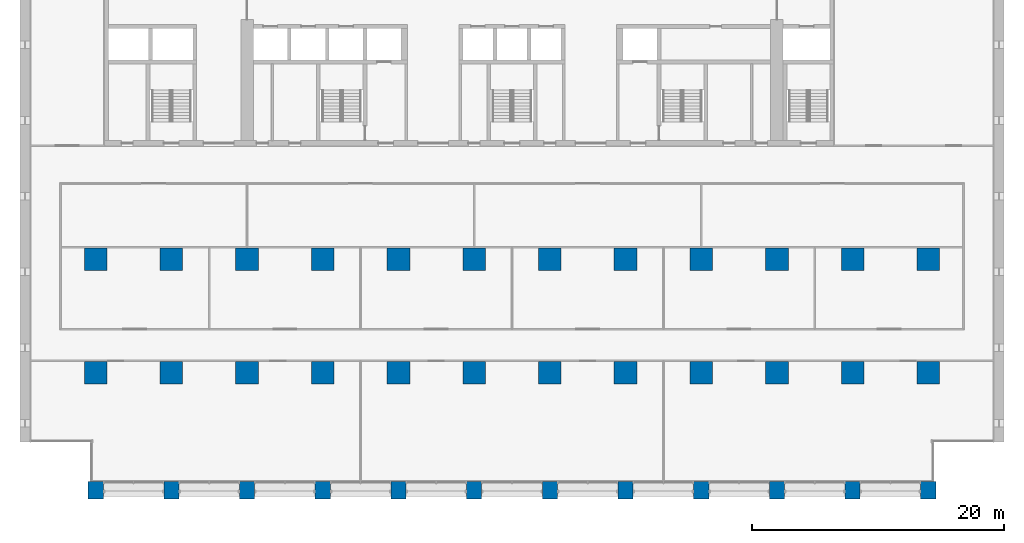
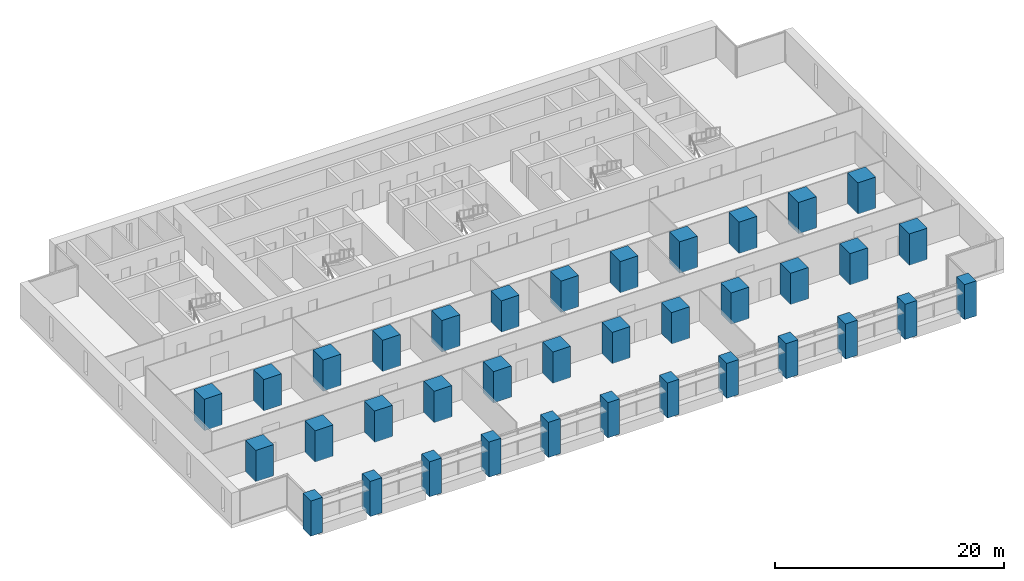
# One storey, part 1 of 18: 36 columns.
"""IFC4 building model written with IfcOpenShell, lengths in metres."""

import ifcopenshell
import ifcopenshell.guid

model = None  # the IFC model being written
_history = None  # IfcOwnerHistory: only IFC2X3 demands one
_inside = {}  # id of a spatial element -> (the spatial element, [elements in it])
_under = {}  # id of a project, library or spatial element -> (it, [spatial elements below it])
_declared = {}  # id of a project -> (the project, [libraries it declares])
_typed = {}  # id of a type object -> (the type object, [elements of that type])
_made_of = {}  # id of a material, layer set ... -> (it, [elements and type objects made of it])


def new_model(schema):
    """Start an empty IFC model of exactly this schema.

    Asked for "IFC4X3", IfcOpenShell would pick the latest addendum, in which some entities
    have other attributes; the version numbers below select the first issue.
    IFC2X3 requires an IfcOwnerHistory on every rooted entity: one is made here for all.
    """
    global model, _history
    if schema == "IFC4X3":
        model = ifcopenshell.file(schema_version=(4, 3, 0, 0))
    else:
        model = ifcopenshell.file(schema=schema)
    _inside.clear()
    _under.clear()
    _declared.clear()
    _typed.clear()
    _made_of.clear()
    _history = None
    if model.schema == "IFC2X3":
        org = make("IfcOrganization", Name="unknown")
        user = make(
            "IfcPersonAndOrganization",
            ThePerson=make("IfcPerson", FamilyName="unknown"),
            TheOrganization=org,
        )
        app = make(
            "IfcApplication",
            ApplicationDeveloper=org,
            Version="unknown",
            ApplicationFullName="unknown",
            ApplicationIdentifier="unknown",
        )
        _history = make(
            "IfcOwnerHistory",
            OwningUser=user,
            OwningApplication=app,
            ChangeAction="ADDED",
            CreationDate=0,
        )
    return model


def make(cls, **values):
    """One entity of the class cls with the attributes given. An attribute that is None is left unset."""
    return model.create_entity(
        cls, **{name: value for name, value in values.items() if value is not None}
    )


def rooted(cls, **values):
    """An entity with a GlobalId (a new one), such as an element, a storey or a relation."""
    return make(cls, GlobalId=ifcopenshell.guid.new(), OwnerHistory=_history, **values)


def si_unit(unit_type, name, prefix=None):
    """IfcSIUnit, for example si_unit("LENGTHUNIT", "METRE", prefix="MILLI")."""
    return make("IfcSIUnit", UnitType=unit_type, Prefix=prefix, Name=name)


def assignment(units):
    """IfcUnitAssignment: the units of a project."""
    return None if units is None else make("IfcUnitAssignment", Units=units)


def point(xyz):
    """IfcCartesianPoint."""
    return None if xyz is None else make("IfcCartesianPoint", Coordinates=xyz)


def direction(xyz):
    """IfcDirection."""
    return None if xyz is None else make("IfcDirection", DirectionRatios=xyz)


def frame(location, z_axis=None, x_axis=None):
    """IfcAxis2Placement3D, a coordinate frame: its origin and axes. An axis left out is left unset."""
    return make(
        "IfcAxis2Placement3D",
        Location=point(location),
        Axis=direction(z_axis),
        RefDirection=direction(x_axis),
    )


def frame_2d(location, x_axis=None):
    """IfcAxis2Placement2D, a coordinate frame in the plane: its origin and x axis."""
    return make(
        "IfcAxis2Placement2D", Location=point(location), RefDirection=direction(x_axis)
    )


def origin():
    """The frame at (0, 0, 0) with its axes left unset."""
    return frame((0.0, 0.0, 0.0))


def origin_2d():
    """The frame at (0, 0) in the plane with its x axis left unset."""
    return frame_2d((0.0, 0.0))


def place(relative_to, where):
    """IfcLocalPlacement: puts the frame where relative to a parent placement (None: the world)."""
    return make(
        "IfcLocalPlacement", PlacementRelTo=relative_to, RelativePlacement=where
    )


def context(
    kind, dimensions, precision=None, world=None, true_north=None, identifier=None
):
    """IfcGeometricRepresentationContext, for example the 3D "Model" context."""
    return make(
        "IfcGeometricRepresentationContext",
        ContextIdentifier=identifier,
        ContextType=kind,
        CoordinateSpaceDimension=dimensions,
        Precision=precision,
        WorldCoordinateSystem=world,
        TrueNorth=true_north,
    )


def subcontext(parent, identifier, kind, view, scale=None):
    """IfcGeometricRepresentationSubContext, for example "Body" below "Model"."""
    return make(
        "IfcGeometricRepresentationSubContext",
        ContextIdentifier=identifier,
        ContextType=kind,
        ParentContext=parent,
        TargetScale=scale,
        TargetView=view,
    )


def project(units=None, contexts=None):
    """IfcProject with its units and contexts."""
    return rooted(
        "IfcProject",
        Name="project",
        RepresentationContexts=contexts,
        UnitsInContext=assignment(units),
    )


def spatial(cls, under=None, at=None, **own):
    """A site, building, storey or space (cls), placed at a placement, below another one or the project."""
    s = rooted(cls, ObjectPlacement=at, **own)
    if under is not None:
        _under.setdefault(under.id(), (under, []))[1].append(s)
    return s


def profile(cls, at=None, kind="AREA", **sizes):
    """A parametric profile (cls). Its sizes go by their IFC names, for example OverallWidth=200.0."""
    return make(cls, ProfileType=kind, Position=at, **sizes)


def rectangle(**sizes):
    """IfcRectangleProfileDef."""
    return profile("IfcRectangleProfileDef", **sizes)


def extrude(swept, where, along, depth):
    """IfcExtrudedAreaSolid: the profile swept, set in the frame where, extruded along a direction by depth."""
    return make(
        "IfcExtrudedAreaSolid",
        SweptArea=swept,
        Position=where,
        ExtrudedDirection=direction(along),
        Depth=depth,
    )


def shape(context_of_items, identifier, shape_type, items):
    """IfcShapeRepresentation: the items that make up one representation, for example the "Body"."""
    return make(
        "IfcShapeRepresentation",
        ContextOfItems=context_of_items,
        RepresentationIdentifier=identifier,
        RepresentationType=shape_type,
        Items=items,
    )


def material(Name=None, Category=None):
    """IfcMaterial."""
    return make("IfcMaterial", Name=Name, Category=Category)


def material_profile(
    of_material, cross_section, Name=None, Category=None, Priority=None
):
    """IfcMaterialProfile: a cross section and its material."""
    return make(
        "IfcMaterialProfile",
        Name=Name,
        Material=of_material,
        Profile=cross_section,
        Priority=Priority,
        Category=Category,
    )


def profile_set(profiles, Name=None, composite=None):
    """IfcMaterialProfileSet."""
    return make(
        "IfcMaterialProfileSet",
        Name=Name,
        MaterialProfiles=profiles,
        CompositeProfile=composite,
    )


def made_of(thing, what):
    """Note that an element or type object is made of a material, layer set ...; save() writes the relation."""
    if what is not None:
        _made_of.setdefault(what.id(), (what, []))[1].append(thing)
    return thing


def type_object(cls, material=None, **own):
    """A type object (cls), such as IfcWallType, which elements share."""
    return made_of(rooted(cls, **own), material)


def element(
    cls,
    number,
    at=None,
    inside=None,
    cuts=None,
    type_object=None,
    material=None,
    context=None,
    identifier="Body",
    shape_type=None,
    held_by="IfcProductDefinitionShape",
    body=None,
    shapes=None,
    **own,
):
    """One element of the class cls, such as IfcWall. Its Tag is "e" and its number.

    at: its placement. inside: the storey or other place that contains it. cuts: it is an
    opening in that element (IfcRelVoidsElement). A single representation is given by context,
    identifier, shape_type and body (its items); several are given by shapes. held_by: the class
    of the entity that holds the representations. save() writes the other relations.
    """
    e = rooted(cls, Tag="e%d" % number, ObjectPlacement=at, **own)
    if body is not None:
        shapes = [shape(context, identifier, shape_type, body)]
    if shapes is not None:
        e.Representation = make(held_by, Representations=shapes)
    if inside is not None:
        _inside.setdefault(inside.id(), (inside, []))[1].append(e)
    if cuts is not None:
        rooted(
            "IfcRelVoidsElement", RelatingBuildingElement=cuts, RelatedOpeningElement=e
        )
    if type_object is not None:
        _typed.setdefault(type_object.id(), (type_object, []))[1].append(e)
    return made_of(e, material)


def aggregate(whole, parts):
    """IfcRelAggregates: a whole, such as a stair, and the parts it consists of."""
    return rooted("IfcRelAggregates", RelatingObject=whole, RelatedObjects=parts)


def save(model, path):
    """Write the relations noted so far, then the file.

    IfcRelAggregates (storeys below a building ...), IfcRelContainedInSpatialStructure (elements
    in a storey), IfcRelDefinesByType, IfcRelAssociatesMaterial and IfcRelDeclares: one each for
    every whole, place, type object, material and project.
    """
    for whole, parts in _under.values():
        aggregate(whole, parts)
    for where, things in _inside.values():
        rooted(
            "IfcRelContainedInSpatialStructure",
            RelatedElements=things,
            RelatingStructure=where,
        )
    for kind, things in _typed.values():
        rooted("IfcRelDefinesByType", RelatedObjects=things, RelatingType=kind)
    for what, things in _made_of.values():
        rooted("IfcRelAssociatesMaterial", RelatedObjects=things, RelatingMaterial=what)
    for by, libraries in _declared.values():
        rooted("IfcRelDeclares", RelatingContext=by, RelatedDefinitions=libraries)
    model.write(path)


model = new_model("IFC4")

# Units and contexts
model_context = context("Model", 3, precision=1e-05, world=origin(), true_north=direction((0.0, 1.0)))
body_context = subcontext(model_context, "Body", "Model", "MODEL_VIEW")
ifc_project = project(units=[si_unit("LENGTHUNIT", "METRE"), si_unit("AREAUNIT", "SQUARE_METRE"), si_unit("VOLUMEUNIT", "CUBIC_METRE"), si_unit("PLANEANGLEUNIT", "RADIAN"), si_unit("MASSUNIT", "GRAM", prefix="KILO")], contexts=[model_context])

# Site, building, storey
site_placement = place(None, origin())
site = spatial("IfcSite", under=ifc_project, at=site_placement, CompositionType="ELEMENT")
building_placement = place(site_placement, origin())
building = spatial("IfcBuilding", under=site, at=building_placement, Name="Calvaro Tower", CompositionType="ELEMENT")
storey_placement = place(building_placement, frame((0.0, 0.0, 30.0)))
storey = spatial("IfcBuildingStorey", under=building, at=storey_placement, Name="L06", CompositionType="ELEMENT", Elevation=30.0)

# Columns
ifc_material_1 = material(Name="Concrete C80/95", Category="concrete")
ifc_material_profile_1 = material_profile(ifc_material_1, rectangle(XDim=1.800048828125, YDim=1.800048828125, at=origin_2d()), Name="RC 1800x1800")
ifc_profile_set_1 = profile_set([ifc_material_profile_1], Name="Concrete C80/95")
column_type_1 = type_object("IfcColumnType", Name="Column 1800x1800 C80/95", PredefinedType="COLUMN", material=ifc_profile_set_1)
for number, where, z_axis, x_axis, name in (
    (1, (6.0, 10.0, 0.0), (0.0, 0.0, 1.0), (1.0, 0.0, 0.0), "Column 2B"),
    (2, (6.0, 19.0, 0.0), (0.0, 0.0, 1.0), (1.0, 0.0, 0.0), "Column 2C"),
    (3, (12.0, 10.0, 0.0), (0.0, 0.0, 1.0), (1.0, 0.0, 0.0), "Column 3B"),
    (4, (12.0, 19.0, 0.0), (0.0, 0.0, 1.0), (1.0, 0.0, 0.0), "Column 3C"),
    (5, (18.0, 10.0, 0.0), (0.0, 0.0, 1.0), (1.0, 0.0, 0.0), "Column 4B"),
    (6, (18.0, 19.0, 0.0), (0.0, 0.0, 1.0), (1.0, 0.0, 0.0), "Column 4C"),
    (7, (24.0, 10.0, 0.0), (0.0, 0.0, 1.0), (1.0, 0.0, 0.0), "Column 5B"),
    (8, (24.0, 19.0, 0.0), (0.0, 0.0, 1.0), (1.0, 0.0, 0.0), "Column 5C"),
    (9, (30.0, 10.0, 0.0), (0.0, 0.0, 1.0), (1.0, 0.0, 0.0), "Column 6B"),
    (10, (30.0, 19.0, 0.0), (0.0, 0.0, 1.0), (1.0, 0.0, 0.0), "Column 6C"),
    (11, (36.0, 10.0, 0.0), (0.0, 0.0, 1.0), (1.0, 0.0, 0.0), "Column 7B"),
    (12, (36.0, 19.0, 0.0), (0.0, 0.0, 1.0), (1.0, 0.0, 0.0), "Column 7C"),
    (13, (42.0, 10.0, 0.0), (0.0, 0.0, 1.0), (1.0, 0.0, 0.0), "Column 8B"),
    (14, (42.0, 19.0, 0.0), (0.0, 0.0, 1.0), (1.0, 0.0, 0.0), "Column 8C"),
    (15, (48.0, 10.0, 0.0), (0.0, 0.0, 1.0), (1.0, 0.0, 0.0), "Column 9B"),
    (16, (48.0, 19.0, 0.0), (0.0, 0.0, 1.0), (1.0, 0.0, 0.0), "Column 9C"),
    (17, (54.0, 10.0, 0.0), (0.0, 0.0, 1.0), (1.0, 0.0, 0.0), "Column 10B"),
    (18, (54.0, 19.0, 0.0), (0.0, 0.0, 1.0), (1.0, 0.0, 0.0), "Column 10C"),
    (19, (60.0, 10.0, 0.0), (0.0, 0.0, 1.0), (1.0, 0.0, 0.0), "Column 11B"),
    (20, (60.0, 19.0, 0.0), (0.0, 0.0, 1.0), (1.0, 0.0, 0.0), "Column 11C"),
    (21, (66.0, 10.0, 0.0), (0.0, 0.0, 1.0), (1.0, 0.0, 0.0), "Column 12B"),
    (22, (66.0, 19.0, 0.0), (0.0, 0.0, 1.0), (1.0, 0.0, 0.0), "Column 12C"),
    (23, (72.0, 10.0, 0.0), (0.0, 0.0, 1.0), (1.0, 0.0, 0.0), "Column 13B"),
    (24, (72.0, 19.0, 0.0), (0.0, 0.0, 1.0), (1.0, 0.0, 0.0), "Column 13C"),
):
    element("IfcColumn", number, at=place(storey_placement, frame(where, z_axis=z_axis, x_axis=x_axis)), inside=storey, type_object=column_type_1, Name=name, PredefinedType="COLUMN", context=body_context, shape_type="SweptSolid", body=[
        extrude(rectangle(XDim=1.800048828125, YDim=1.800048828125, at=origin_2d()), origin(), (0.0, 0.0, 1.0), 3.35009765625),
    ])
ifc_material_2 = material(Name="Concrete C80/95", Category="concrete")
ifc_material_profile_2 = material_profile(ifc_material_2, rectangle(XDim=1.199951171875, YDim=1.39990234375, at=origin_2d()), Name="RC 1200x1400")
ifc_profile_set_2 = profile_set([ifc_material_profile_2], Name="Concrete C80/95")
column_type_2 = type_object("IfcColumnType", Name="Pier 1200x1400 C80/95", PredefinedType="COLUMN", material=ifc_profile_set_2)
for number, where, z_axis, x_axis, name in (
    (25, (6.0, 0.699951171875, -0.39990234375), (0.0, 0.0, 1.0), (1.0, 0.0, 0.0), "South pier 2"),
    (26, (12.0, 0.699951171875, -0.39990234375), (0.0, 0.0, 1.0), (1.0, 0.0, 0.0), "South pier 3"),
    (27, (18.0, 0.699951171875, -0.39990234375), (0.0, 0.0, 1.0), (1.0, 0.0, 0.0), "South pier 4"),
    (28, (24.0, 0.699951171875, -0.39990234375), (0.0, 0.0, 1.0), (1.0, 0.0, 0.0), "South pier 5"),
    (29, (30.0, 0.699951171875, -0.39990234375), (0.0, 0.0, 1.0), (1.0, 0.0, 0.0), "South pier 6"),
    (30, (36.0, 0.699951171875, -0.39990234375), (0.0, 0.0, 1.0), (1.0, 0.0, 0.0), "South pier 7"),
    (31, (42.0, 0.699951171875, -0.39990234375), (0.0, 0.0, 1.0), (1.0, 0.0, 0.0), "South pier 8"),
    (32, (48.0, 0.699951171875, -0.39990234375), (0.0, 0.0, 1.0), (1.0, 0.0, 0.0), "South pier 9"),
    (33, (54.0, 0.699951171875, -0.39990234375), (0.0, 0.0, 1.0), (1.0, 0.0, 0.0), "South pier 10"),
    (34, (60.0, 0.699951171875, -0.39990234375), (0.0, 0.0, 1.0), (1.0, 0.0, 0.0), "South pier 11"),
    (35, (66.0, 0.699951171875, -0.39990234375), (0.0, 0.0, 1.0), (1.0, 0.0, 0.0), "South pier 12"),
    (36, (72.0, 0.699951171875, -0.39990234375), (0.0, 0.0, 1.0), (1.0, 0.0, 0.0), "South pier 13"),
):
    element("IfcColumn", number, at=place(storey_placement, frame(where, z_axis=z_axis, x_axis=x_axis)), inside=storey, type_object=column_type_2, Name=name, PredefinedType="COLUMN", context=body_context, shape_type="SweptSolid", body=[
        extrude(rectangle(XDim=1.199951171875, YDim=1.39990234375, at=origin_2d()), origin(), (0.0, 0.0, 1.0), 3.75),
    ])

save(model, "model.ifc")
